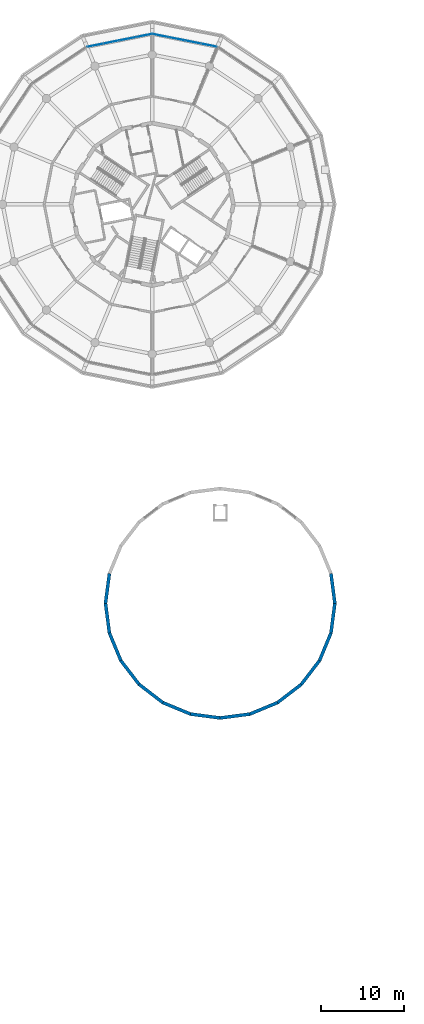
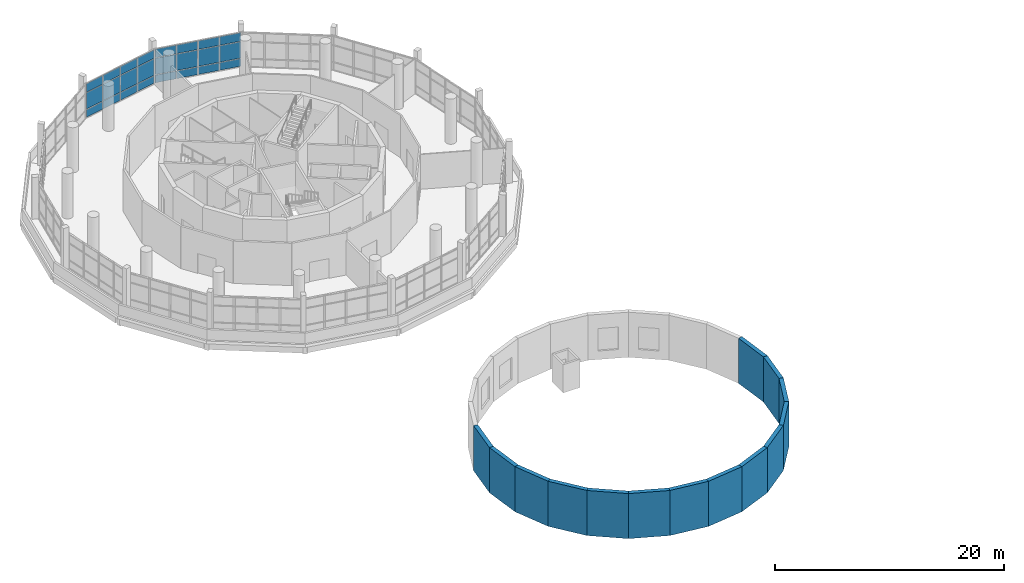
# One storey, part 24 of 40: 24 plates, 14 walls, 2 elements without a shape of their own.
"""IFC4 building model written with IfcOpenShell, lengths in metres."""

from ifc_helpers import new_model, si_unit, direction, frame, origin, origin_2d, place, context, subcontext, project, spatial, polyline, rectangle, outline, extrude, material, layer, layer_set, type_object, element, aggregate, save


model = new_model("IFC4")

# Units and contexts
model_context = context("Model", 3, precision=1e-05, world=origin(), true_north=direction((0.0, 1.0)))
body_context = subcontext(model_context, "Body", "Model", "MODEL_VIEW")
ifc_project = project(units=[si_unit("LENGTHUNIT", "METRE"), si_unit("AREAUNIT", "SQUARE_METRE"), si_unit("VOLUMEUNIT", "CUBIC_METRE"), si_unit("PLANEANGLEUNIT", "RADIAN"), si_unit("MASSUNIT", "GRAM", prefix="KILO")], contexts=[model_context])

# Site, building, storey
site_placement = place(None, origin())
site = spatial("IfcSite", under=ifc_project, at=site_placement, CompositionType="ELEMENT")
building_placement = place(site_placement, origin())
building = spatial("IfcBuilding", under=site, at=building_placement, Name="Ceibo Conservatory and Research Tower", CompositionType="ELEMENT")
storey_placement = place(building_placement, frame((0.0, 0.0, 6.0)))
storey = spatial("IfcBuildingStorey", under=building, at=storey_placement, Name="L01", CompositionType="ELEMENT", Elevation=6.0)

# Curtain wall, plates
ifc_material_1 = material(Name="Aluminium and glass", Category="aluminium")
curtain_wall_type = type_object("IfcCurtainWallType", Name="Curtain wall CW1", PredefinedType="NOTDEFINED", material=ifc_material_1)
curtain_wall_1_placement = place(storey_placement, origin())
curtain_wall_1 = element("IfcCurtainWall", 1, at=curtain_wall_1_placement, inside=storey, type_object=curtain_wall_type, Name="CW-01.04", PredefinedType="NOTDEFINED")
ifc_material_2 = material(Name="Glass", Category="glass")
ifc_layer_1 = layer(ifc_material_2, 0.028076171875)
ifc_layer_set_1 = layer_set([ifc_layer_1], Name="Glass")
plate_type = type_object("IfcPlateType", Name="Insulated glass panel 28", PredefinedType="CURTAIN_PANEL", material=ifc_layer_set_1)
plate_1_placement = place(storey_placement, frame((54.849609375, 139.137451171875, 0.06005859375), z_axis=(0.0, 0.0, 1.0), x_axis=(-0.980785268711, 0.195090380799, 0.0)))
plate_1 = element("IfcPlate", 2, at=plate_1_placement, type_object=plate_type, Name="CW-01.04 panel 1.1", PredefinedType="CURTAIN_PANEL", context=body_context, shape_type="SweptSolid", body=[
    extrude(rectangle(XDim=1.90966796875, YDim=0.028076171875, at=origin_2d()), origin(), (0.0, 0.0, 1.0), 0.81005859375),
])
plate_2_placement = place(storey_placement, frame((54.849609375, 139.137451171875, 0.93017578125), z_axis=(0.0, 0.0, 1.0), x_axis=(-0.980785268711, 0.195090380799, 0.0)))
plate_2 = element("IfcPlate", 3, at=plate_2_placement, type_object=plate_type, Name="CW-01.04 panel 1.2", PredefinedType="CURTAIN_PANEL", context=body_context, shape_type="SweptSolid", body=[
    extrude(rectangle(XDim=1.90966796875, YDim=0.028076171875, at=origin_2d()), origin(), (0.0, 0.0, 1.0), 1.739990234375),
])
plate_3_placement = place(storey_placement, frame((54.849609375, 139.137451171875, 2.72998046875), z_axis=(0.0, 0.0, 1.0), x_axis=(-0.980785268711, 0.195090380799, 0.0)))
plate_3 = element("IfcPlate", 4, at=plate_3_placement, type_object=plate_type, Name="CW-01.04 panel 1.3", PredefinedType="CURTAIN_PANEL", context=body_context, shape_type="SweptSolid", body=[
    extrude(rectangle(XDim=1.90966796875, YDim=0.028076171875, at=origin_2d()), origin(), (0.0, 0.0, 1.0), 0.909912109375),
])
plate_4_placement = place(storey_placement, frame((52.903076171875, 139.524658203125, 0.06005859375), z_axis=(0.0, 0.0, 1.0), x_axis=(-0.980785268711, 0.195090380799, 0.0)))
plate_4 = element("IfcPlate", 5, at=plate_4_placement, type_object=plate_type, Name="CW-01.04 panel 2.1", PredefinedType="CURTAIN_PANEL", context=body_context, shape_type="SweptSolid", body=[
    extrude(rectangle(XDim=1.939697265625, YDim=0.028076171875, at=origin_2d()), origin(), (0.0, 0.0, 1.0), 0.81005859375),
])
plate_5_placement = place(storey_placement, frame((52.903076171875, 139.524658203125, 0.93017578125), z_axis=(0.0, 0.0, 1.0), x_axis=(-0.980785268711, 0.195090380799, 0.0)))
plate_5 = element("IfcPlate", 6, at=plate_5_placement, type_object=plate_type, Name="CW-01.04 panel 2.2", PredefinedType="CURTAIN_PANEL", context=body_context, shape_type="SweptSolid", body=[
    extrude(rectangle(XDim=1.939697265625, YDim=0.028076171875, at=origin_2d()), origin(), (0.0, 0.0, 1.0), 1.739990234375),
])
plate_6_placement = place(storey_placement, frame((52.903076171875, 139.524658203125, 2.72998046875), z_axis=(0.0, 0.0, 1.0), x_axis=(-0.980785268711, 0.195090380799, 0.0)))
plate_6 = element("IfcPlate", 7, at=plate_6_placement, type_object=plate_type, Name="CW-01.04 panel 2.3", PredefinedType="CURTAIN_PANEL", context=body_context, shape_type="SweptSolid", body=[
    extrude(rectangle(XDim=1.939697265625, YDim=0.028076171875, at=origin_2d()), origin(), (0.0, 0.0, 1.0), 0.909912109375),
])
plate_7_placement = place(storey_placement, frame((50.94189453125, 139.914794921875, 0.06005859375), z_axis=(0.0, 0.0, 1.0), x_axis=(-0.980785268711, 0.195090380799, 0.0)))
plate_7 = element("IfcPlate", 8, at=plate_7_placement, type_object=plate_type, Name="CW-01.04 panel 3.1", PredefinedType="CURTAIN_PANEL", context=body_context, shape_type="SweptSolid", body=[
    extrude(rectangle(XDim=1.939697265625, YDim=0.028076171875, at=origin_2d()), origin(), (0.0, 0.0, 1.0), 0.81005859375),
])
plate_8_placement = place(storey_placement, frame((50.94189453125, 139.914794921875, 0.93017578125), z_axis=(0.0, 0.0, 1.0), x_axis=(-0.980785268711, 0.195090380799, 0.0)))
plate_8 = element("IfcPlate", 9, at=plate_8_placement, type_object=plate_type, Name="CW-01.04 panel 3.2", PredefinedType="CURTAIN_PANEL", context=body_context, shape_type="SweptSolid", body=[
    extrude(rectangle(XDim=1.939697265625, YDim=0.028076171875, at=origin_2d()), origin(), (0.0, 0.0, 1.0), 1.739990234375),
])
plate_9_placement = place(storey_placement, frame((50.94189453125, 139.914794921875, 2.72998046875), z_axis=(0.0, 0.0, 1.0), x_axis=(-0.980785268711, 0.195090380799, 0.0)))
plate_9 = element("IfcPlate", 10, at=plate_9_placement, type_object=plate_type, Name="CW-01.04 panel 3.3", PredefinedType="CURTAIN_PANEL", context=body_context, shape_type="SweptSolid", body=[
    extrude(rectangle(XDim=1.939697265625, YDim=0.028076171875, at=origin_2d()), origin(), (0.0, 0.0, 1.0), 0.909912109375),
])
plate_10_placement = place(storey_placement, frame((48.995361328125, 140.302001953125, 0.06005859375), z_axis=(0.0, 0.0, 1.0), x_axis=(-0.980785268711, 0.195090380799, 0.0)))
plate_10 = element("IfcPlate", 11, at=plate_10_placement, type_object=plate_type, Name="CW-01.04 panel 4.1", PredefinedType="CURTAIN_PANEL", context=body_context, shape_type="SweptSolid", body=[
    extrude(rectangle(XDim=1.90966796875, YDim=0.028076171875, at=origin_2d()), origin(), (0.0, 0.0, 1.0), 0.81005859375),
])
plate_11_placement = place(storey_placement, frame((48.995361328125, 140.302001953125, 0.93017578125), z_axis=(0.0, 0.0, 1.0), x_axis=(-0.980785268711, 0.195090380799, 0.0)))
plate_11 = element("IfcPlate", 12, at=plate_11_placement, type_object=plate_type, Name="CW-01.04 panel 4.2", PredefinedType="CURTAIN_PANEL", context=body_context, shape_type="SweptSolid", body=[
    extrude(rectangle(XDim=1.90966796875, YDim=0.028076171875, at=origin_2d()), origin(), (0.0, 0.0, 1.0), 1.739990234375),
])
plate_12_placement = place(storey_placement, frame((48.995361328125, 140.302001953125, 2.72998046875), z_axis=(0.0, 0.0, 1.0), x_axis=(-0.980785268711, 0.195090380799, 0.0)))
plate_12 = element("IfcPlate", 13, at=plate_12_placement, type_object=plate_type, Name="CW-01.04 panel 4.3", PredefinedType="CURTAIN_PANEL", context=body_context, shape_type="SweptSolid", body=[
    extrude(rectangle(XDim=1.90966796875, YDim=0.028076171875, at=origin_2d()), origin(), (0.0, 0.0, 1.0), 0.909912109375),
])
aggregate(curtain_wall_1, [plate_1, plate_2, plate_3, plate_4, plate_5, plate_6, plate_7, plate_8, plate_9, plate_10, plate_11, plate_12])

curtain_wall_2_placement = place(storey_placement, origin())
curtain_wall_2 = element("IfcCurtainWall", 14, at=curtain_wall_2_placement, inside=storey, type_object=curtain_wall_type, Name="CW-01.05", PredefinedType="NOTDEFINED")
plate_13_placement = place(storey_placement, frame((47.004638671875, 140.302001953125, 0.06005859375), z_axis=(0.0, 0.0, 1.0), x_axis=(-0.980785268711, -0.195090380799, 0.0)))
plate_13 = element("IfcPlate", 15, at=plate_13_placement, type_object=plate_type, Name="CW-01.05 panel 1.1", PredefinedType="CURTAIN_PANEL", context=body_context, shape_type="SweptSolid", body=[
    extrude(rectangle(XDim=1.90966796875, YDim=0.028076171875, at=origin_2d()), origin(), (0.0, 0.0, 1.0), 0.81005859375),
])
plate_14_placement = place(storey_placement, frame((47.004638671875, 140.302001953125, 0.93017578125), z_axis=(0.0, 0.0, 1.0), x_axis=(-0.980785268711, -0.195090380799, 0.0)))
plate_14 = element("IfcPlate", 16, at=plate_14_placement, type_object=plate_type, Name="CW-01.05 panel 1.2", PredefinedType="CURTAIN_PANEL", context=body_context, shape_type="SweptSolid", body=[
    extrude(rectangle(XDim=1.90966796875, YDim=0.028076171875, at=origin_2d()), origin(), (0.0, 0.0, 1.0), 1.739990234375),
])
plate_15_placement = place(storey_placement, frame((47.004638671875, 140.302001953125, 2.72998046875), z_axis=(0.0, 0.0, 1.0), x_axis=(-0.980785268711, -0.195090380799, 0.0)))
plate_15 = element("IfcPlate", 17, at=plate_15_placement, type_object=plate_type, Name="CW-01.05 panel 1.3", PredefinedType="CURTAIN_PANEL", context=body_context, shape_type="SweptSolid", body=[
    extrude(rectangle(XDim=1.90966796875, YDim=0.028076171875, at=origin_2d()), origin(), (0.0, 0.0, 1.0), 0.909912109375),
])
plate_16_placement = place(storey_placement, frame((45.05810546875, 139.914794921875, 0.06005859375), z_axis=(0.0, 0.0, 1.0), x_axis=(-0.980785268711, -0.195090380799, 0.0)))
plate_16 = element("IfcPlate", 18, at=plate_16_placement, type_object=plate_type, Name="CW-01.05 panel 2.1", PredefinedType="CURTAIN_PANEL", context=body_context, shape_type="SweptSolid", body=[
    extrude(rectangle(XDim=1.939697265625, YDim=0.028076171875, at=origin_2d()), origin(), (0.0, 0.0, 1.0), 0.81005859375),
])
plate_17_placement = place(storey_placement, frame((45.05810546875, 139.914794921875, 0.93017578125), z_axis=(0.0, 0.0, 1.0), x_axis=(-0.980785268711, -0.195090380799, 0.0)))
plate_17 = element("IfcPlate", 19, at=plate_17_placement, type_object=plate_type, Name="CW-01.05 panel 2.2", PredefinedType="CURTAIN_PANEL", context=body_context, shape_type="SweptSolid", body=[
    extrude(rectangle(XDim=1.939697265625, YDim=0.028076171875, at=origin_2d()), origin(), (0.0, 0.0, 1.0), 1.739990234375),
])
plate_18_placement = place(storey_placement, frame((45.05810546875, 139.914794921875, 2.72998046875), z_axis=(0.0, 0.0, 1.0), x_axis=(-0.980785268711, -0.195090380799, 0.0)))
plate_18 = element("IfcPlate", 20, at=plate_18_placement, type_object=plate_type, Name="CW-01.05 panel 2.3", PredefinedType="CURTAIN_PANEL", context=body_context, shape_type="SweptSolid", body=[
    extrude(rectangle(XDim=1.939697265625, YDim=0.028076171875, at=origin_2d()), origin(), (0.0, 0.0, 1.0), 0.909912109375),
])
plate_19_placement = place(storey_placement, frame((43.096923828125, 139.524658203125, 0.06005859375), z_axis=(0.0, 0.0, 1.0), x_axis=(-0.980785268711, -0.195090380799, 0.0)))
plate_19 = element("IfcPlate", 21, at=plate_19_placement, type_object=plate_type, Name="CW-01.05 panel 3.1", PredefinedType="CURTAIN_PANEL", context=body_context, shape_type="SweptSolid", body=[
    extrude(rectangle(XDim=1.939697265625, YDim=0.028076171875, at=origin_2d()), origin(), (0.0, 0.0, 1.0), 0.81005859375),
])
plate_20_placement = place(storey_placement, frame((43.096923828125, 139.524658203125, 0.93017578125), z_axis=(0.0, 0.0, 1.0), x_axis=(-0.980785268711, -0.195090380799, 0.0)))
plate_20 = element("IfcPlate", 22, at=plate_20_placement, type_object=plate_type, Name="CW-01.05 panel 3.2", PredefinedType="CURTAIN_PANEL", context=body_context, shape_type="SweptSolid", body=[
    extrude(rectangle(XDim=1.939697265625, YDim=0.028076171875, at=origin_2d()), origin(), (0.0, 0.0, 1.0), 1.739990234375),
])
plate_21_placement = place(storey_placement, frame((43.096923828125, 139.524658203125, 2.72998046875), z_axis=(0.0, 0.0, 1.0), x_axis=(-0.980785268711, -0.195090380799, 0.0)))
plate_21 = element("IfcPlate", 23, at=plate_21_placement, type_object=plate_type, Name="CW-01.05 panel 3.3", PredefinedType="CURTAIN_PANEL", context=body_context, shape_type="SweptSolid", body=[
    extrude(rectangle(XDim=1.939697265625, YDim=0.028076171875, at=origin_2d()), origin(), (0.0, 0.0, 1.0), 0.909912109375),
])
plate_22_placement = place(storey_placement, frame((41.150390625, 139.137451171875, 0.06005859375), z_axis=(0.0, 0.0, 1.0), x_axis=(-0.980785268711, -0.195090380799, 0.0)))
plate_22 = element("IfcPlate", 24, at=plate_22_placement, type_object=plate_type, Name="CW-01.05 panel 4.1", PredefinedType="CURTAIN_PANEL", context=body_context, shape_type="SweptSolid", body=[
    extrude(rectangle(XDim=1.90966796875, YDim=0.028076171875, at=origin_2d()), origin(), (0.0, 0.0, 1.0), 0.81005859375),
])
plate_23_placement = place(storey_placement, frame((41.150390625, 139.137451171875, 0.93017578125), z_axis=(0.0, 0.0, 1.0), x_axis=(-0.980785268711, -0.195090380799, 0.0)))
plate_23 = element("IfcPlate", 25, at=plate_23_placement, type_object=plate_type, Name="CW-01.05 panel 4.2", PredefinedType="CURTAIN_PANEL", context=body_context, shape_type="SweptSolid", body=[
    extrude(rectangle(XDim=1.90966796875, YDim=0.028076171875, at=origin_2d()), origin(), (0.0, 0.0, 1.0), 1.739990234375),
])
plate_24_placement = place(storey_placement, frame((41.150390625, 139.137451171875, 2.72998046875), z_axis=(0.0, 0.0, 1.0), x_axis=(-0.980785268711, -0.195090380799, 0.0)))
plate_24 = element("IfcPlate", 26, at=plate_24_placement, type_object=plate_type, Name="CW-01.05 panel 4.3", PredefinedType="CURTAIN_PANEL", context=body_context, shape_type="SweptSolid", body=[
    extrude(rectangle(XDim=1.90966796875, YDim=0.028076171875, at=origin_2d()), origin(), (0.0, 0.0, 1.0), 0.909912109375),
])
aggregate(curtain_wall_2, [plate_13, plate_14, plate_15, plate_16, plate_17, plate_18, plate_19, plate_20, plate_21, plate_22, plate_23, plate_24])

# Walls
ifc_material_3 = material(Name="Concrete C40/50", Category="concrete")
ifc_layer_2 = layer(ifc_material_3, 0.39990234375)
ifc_layer_set_2 = layer_set([ifc_layer_2], Name="Concrete C40/50")
wall_type = type_object("IfcWallType", Name="RC drum wall 400 C40", PredefinedType="SOLIDWALL", material=ifc_layer_set_2)
for number, where, z_axis, x_axis, name in (
    (27, (69.978271484375, 72.0, 0.0), (0.0, 0.0, 1.0), (-0.13047204524, 0.991451988455, 0.0), "Auditorium wall L01 01"),
    (28, (42.85205078125, 75.5712890625, 0.0), (0.0, 0.0, 1.0), (-0.130538668266, -0.991443218791, 0.0), "Auditorium wall L01 12"),
    (29, (42.3818359375, 72.0, 0.0), (0.0, 0.0, 1.0), (0.130538668266, -0.991443218791, 0.0), "Auditorium wall L01 13"),
    (30, (42.85205078125, 68.4287109375, 0.0), (0.0, 0.0, 1.0), (0.382675039804, -0.923883008779, 0.0), "Auditorium wall L01 14"),
    (31, (44.23046875, 65.100830078125, 0.0), (0.0, 0.0, 1.0), (0.608780097093, -0.793339015417, 0.0), "Auditorium wall L01 15"),
    (32, (46.42333984375, 62.2431640625, 0.0), (0.0, 0.0, 1.0), (0.793339015417, -0.608780097093, 0.0), "Auditorium wall L01 16"),
    (33, (49.281005859375, 60.05029296875, 0.0), (0.0, 0.0, 1.0), (0.923883008779, -0.382675039804, 0.0), "Auditorium wall L01 17"),
    (34, (52.60888671875, 58.671875, 0.0), (0.0, 0.0, 1.0), (0.991443218791, -0.130538668266, 0.0), "Auditorium wall L01 18"),
):
    element("IfcWall", number, at=place(storey_placement, frame(where, z_axis=z_axis, x_axis=x_axis)), inside=storey, type_object=wall_type, Name=name, PredefinedType="SOLIDWALL", context=body_context, shape_type="SweptSolid", body=[
        extrude(outline(polyline([(-0.0263671875, -0.199951171875), (3.62841796875, -0.199951171875), (3.57568359375, 0.199951171875), (0.0263671875, 0.199951171875), (-0.0263671875, -0.199951171875)])), origin(), (0.0, 0.0, 1.0), 4.800048828125),
    ])
wall_1_placement = place(storey_placement, frame((56.18017578125, 58.20166015625, 0.0), z_axis=(0.0, 0.0, 1.0), x_axis=(0.99144206373, 0.130547440674, 0.0)))
element("IfcWall", 35, at=wall_1_placement, inside=storey, type_object=wall_type, Name="Auditorium wall L01 19", PredefinedType="SOLIDWALL", context=body_context, shape_type="SweptSolid", body=[
    extrude(outline(polyline([(-0.0263671875, -0.199951171875), (3.628173828125, -0.199951171875), (3.575439453125, 0.199951171875), (0.0263671875, 0.199951171875), (-0.0263671875, -0.199951171875)])), origin(), (0.0, 0.0, 1.0), 4.800048828125),
])
wall_2_placement = place(storey_placement, frame((59.751220703125, 58.671875, 0.0), z_axis=(0.0, 0.0, 1.0), x_axis=(0.923883008779, 0.382675039804, 0.0)))
element("IfcWall", 36, at=wall_2_placement, inside=storey, type_object=wall_type, Name="Auditorium wall L01 20", PredefinedType="SOLIDWALL", context=body_context, shape_type="SweptSolid", body=[
    extrude(outline(polyline([(-0.0263671875, -0.199951171875), (3.62841796875, -0.199951171875), (3.57568359375, 0.199951171875), (0.0263671875, 0.199951171875), (-0.0263671875, -0.199951171875)])), origin(), (0.0, 0.0, 1.0), 4.800048828125),
])
wall_3_placement = place(storey_placement, frame((63.0791015625, 60.05029296875, 0.0), z_axis=(0.0, 0.0, 1.0), x_axis=(0.793364132735, 0.608747363764, 0.0)))
element("IfcWall", 37, at=wall_3_placement, inside=storey, type_object=wall_type, Name="Auditorium wall L01 21", PredefinedType="SOLIDWALL", context=body_context, shape_type="SweptSolid", body=[
    extrude(outline(polyline([(-0.0263671875, -0.199951171875), (3.628662109375, -0.199951171875), (3.575927734375, 0.199951171875), (0.0263671875, 0.199951171875), (-0.0263671875, -0.199951171875)])), origin(), (0.0, 0.0, 1.0), 4.800048828125),
])
wall_4_placement = place(storey_placement, frame((65.93701171875, 62.2431640625, 0.0), z_axis=(0.0, 0.0, 1.0), x_axis=(0.608737436008, 0.793371750192, 0.0)))
element("IfcWall", 38, at=wall_4_placement, inside=storey, type_object=wall_type, Name="Auditorium wall L01 22", PredefinedType="SOLIDWALL", context=body_context, shape_type="SweptSolid", body=[
    extrude(outline(polyline([(-0.0263671875, -0.199951171875), (3.628173828125, -0.199951171875), (3.575439453125, 0.199951171875), (0.0263671875, 0.199951171875), (-0.0263671875, -0.199951171875)])), origin(), (0.0, 0.0, 1.0), 4.800048828125),
])
for number, where, z_axis, x_axis, name in (
    (39, (68.129638671875, 65.100830078125, 0.0), (0.0, 0.0, 1.0), (0.382732890199, 0.923859044855, 0.0), "Auditorium wall L01 23"),
    (40, (69.50830078125, 68.4287109375, 0.0), (0.0, 0.0, 1.0), (0.13047204524, 0.991451988455, 0.0), "Auditorium wall L01 24"),
):
    element("IfcWall", number, at=place(storey_placement, frame(where, z_axis=z_axis, x_axis=x_axis)), inside=storey, type_object=wall_type, Name=name, PredefinedType="SOLIDWALL", context=body_context, shape_type="SweptSolid", body=[
        extrude(outline(polyline([(-0.0263671875, -0.199951171875), (3.62841796875, -0.199951171875), (3.57568359375, 0.199951171875), (0.0263671875, 0.199951171875), (-0.0263671875, -0.199951171875)])), origin(), (0.0, 0.0, 1.0), 4.800048828125),
    ])

save(model, "model.ifc")
